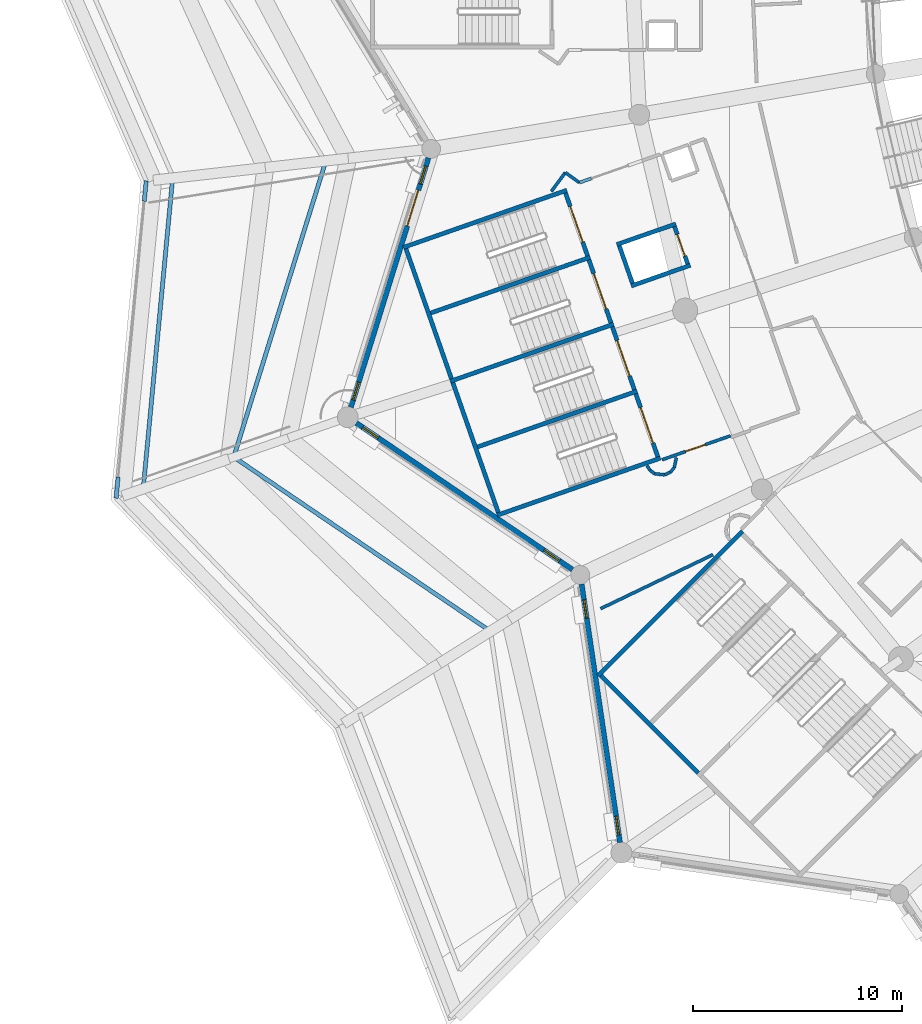
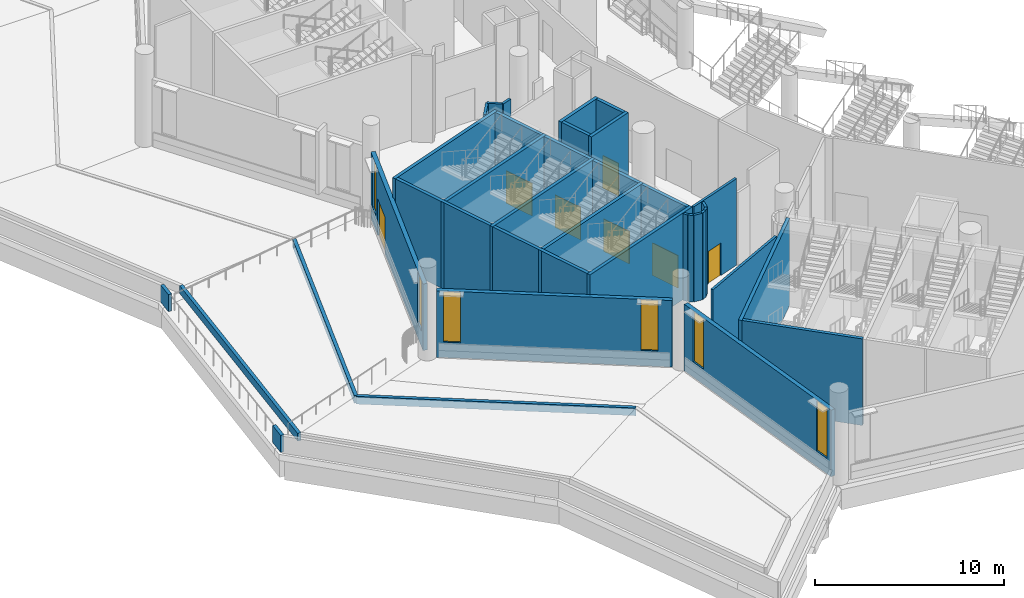
# One storey, part 42 of 173: 36 walls, 7 doors, 6 windows, 13 openings.
"""IFC4 building model written with IfcOpenShell, lengths in metres."""

from ifc_helpers import new_model, si_unit, direction, frame, frame_2d, origin, place, context, subcontext, project, spatial, rectangle, extrude, material, layer, layer_set, type_object, element, fill, save


model = new_model("IFC4")

# Units and contexts
model_context = context("Model", 3, precision=1e-05, world=origin(), true_north=direction((0.0, 1.0)))
body_context = subcontext(model_context, "Body", "Model", "MODEL_VIEW")
ifc_project = project(units=[si_unit("LENGTHUNIT", "METRE"), si_unit("AREAUNIT", "SQUARE_METRE"), si_unit("VOLUMEUNIT", "CUBIC_METRE"), si_unit("PLANEANGLEUNIT", "RADIAN"), si_unit("MASSUNIT", "GRAM", prefix="KILO")], contexts=[model_context])

# Site, building, storey
site_placement = place(None, origin())
site = spatial("IfcSite", under=ifc_project, at=site_placement, CompositionType="ELEMENT")
building_placement = place(site_placement, origin())
building = spatial("IfcBuilding", under=site, at=building_placement, Name="Meseta Stadium", CompositionType="ELEMENT")
storey_placement = place(building_placement, frame((0.0, 0.0, 18.0)))
storey = spatial("IfcBuildingStorey", under=building, at=storey_placement, Name="L03", CompositionType="ELEMENT", Elevation=18.0)

# Walls
ifc_material_1 = material(Name="Concrete C40/50", Category="concrete")
ifc_layer_1 = layer(ifc_material_1, 0.199951171875)
ifc_layer_set_1 = layer_set([ifc_layer_1], Name="Core divider wall 200")
wall_type_1 = type_object("IfcWallType", Name="Core divider wall 200", PredefinedType="SHEAR", material=ifc_layer_set_1)
for number, where, z_axis, x_axis, name in (
    (1, (-94.505859375, -63.370849609375, 0.0), (0.0, 0.0, 1.0), (0.943878073457, 0.330294084791, 0.0), "Core 20 L03 stair A divider wall"),
    (2, (-92.260009765625, -69.789306640625, 0.0), (0.0, 0.0, 1.0), (0.943878073457, 0.330294084791, 0.0), "Core 20 L03 stair B divider wall"),
):
    element("IfcWall", number, at=place(storey_placement, frame(where, z_axis=z_axis, x_axis=x_axis)), inside=storey, type_object=wall_type_1, Name=name, PredefinedType="SHEAR", context=body_context, shape_type="SweptSolid", body=[
        extrude(rectangle(XDim=8.300048828125, YDim=0.199951171875, at=frame_2d((4.14990234375, 0.0))), origin(), (0.0, 0.0, 1.0), 5.60009765625),
    ])
ifc_material_2 = material(Name="Concrete C40/50", Category="concrete")
ifc_layer_2 = layer(ifc_material_2, 0.199951171875)
ifc_layer_set_2 = layer_set([ifc_layer_2], Name="Core shaft wall 200")
wall_type_2 = type_object("IfcWallType", Name="Core shaft wall 200", PredefinedType="SHEAR", material=ifc_layer_set_2)
for number, where, z_axis, x_axis, name in (
    (3, (-95.62890625, -60.16162109375, 0.0), (0.0, 0.0, 1.0), (0.943887243331, 0.330267878966, 0.0), "Core 20 L03 stair wall A-side"),
    (4, (-93.3828125, -66.580078125, 0.0), (0.0, 0.0, 1.0), (0.943878073457, 0.330294084791, 0.0), "Core 20 L03 stair wall shared"),
    (5, (-91.136962890625, -72.998291015625, 0.0), (0.0, 0.0, 1.0), (0.943887243331, 0.330267878966, 0.0), "Core 20 L03 stair wall B-side"),
):
    element("IfcWall", number, at=place(storey_placement, frame(where, z_axis=z_axis, x_axis=x_axis)), inside=storey, type_object=wall_type_2, Name=name, PredefinedType="SHEAR", context=body_context, shape_type="SweptSolid", body=[
        extrude(rectangle(XDim=8.300048828125, YDim=0.199951171875, at=frame_2d((4.14990234375, 0.0))), origin(), (0.0, 0.0, 1.0), 5.60009765625),
    ])
for number, where, z_axis, x_axis, name in (
    (6, (-95.50146484375, -60.222900390625, 0.0), (0.0, 0.0, 1.0), (0.330286164688, -0.943880844925, 0.0), "Core 20 L03 stair A outer end wall"),
    (7, (-93.255615234375, -66.641357421875, 0.0), (0.0, 0.0, 1.0), (0.330286164688, -0.943880844925, 0.0), "Core 20 L03 stair B outer end wall"),
):
    element("IfcWall", number, at=place(storey_placement, frame(where, z_axis=z_axis, x_axis=x_axis)), inside=storey, type_object=wall_type_2, Name=name, PredefinedType="SHEAR", context=body_context, shape_type="SweptSolid", body=[
        extrude(rectangle(XDim=6.60009765625, YDim=0.199951171875, at=frame_2d((3.300048828125, 0.0))), origin(), (0.0, 0.0, 1.0), 5.60009765625),
    ])

# Wall, opening, door
wall_1_placement = place(storey_placement, frame((-87.85595703125, -57.547607421875, 0.0), z_axis=(0.0, 0.0, 1.0), x_axis=(0.330268863922, -0.943886898693, 0.0)))
wall_1 = element("IfcWall", 8, at=wall_1_placement, inside=storey, type_object=wall_type_2, Name="Core 20 L03 stair A1 inner end wall", PredefinedType="SHEAR", context=body_context, shape_type="SweptSolid", body=[
    extrude(rectangle(XDim=3.2001953125, YDim=0.199951171875, at=frame_2d((1.60009765625, 0.0))), origin(), (0.0, 0.0, 1.0), 5.60009765625),
])
opening_1_placement = place(wall_1_placement, frame((0.699951171875, 0.0, 0.0)))
opening_1 = element("IfcOpeningElement", 9, at=opening_1_placement, cuts=wall_1, Name="Opening D1298", PredefinedType="OPENING", context=body_context, shape_type="SweptSolid", body=[
    extrude(rectangle(XDim=1.800048828125, YDim=2.10009765625, at=frame_2d((0.89990234375, 1.050048828125))), frame((0.0, 0.10986328125, 0.0), z_axis=(0.0, -1.0, 0.0), x_axis=(1.0, 0.0, 0.0)), (0.0, 0.0, 1.0), 0.219970703125),
])
ifc_material_3 = material(Name="Steel", Category="steel")
door_type_1 = type_object("IfcDoorType", Name="Stair door 1800x2100", OperationType="DOUBLE_DOOR_SINGLE_SWING", PredefinedType="DOOR", material=ifc_material_3)
door_1_placement = place(opening_1_placement, origin())
door_1 = element("IfcDoor", 10, at=door_1_placement, inside=storey, type_object=door_type_1, Name="Stair A1 door 20 L03", OperationType="DOUBLE_DOOR_SINGLE_SWING", OverallHeight=2.10009765625, OverallWidth=1.800048828125, PredefinedType="DOOR", context=body_context, shape_type="SweptSolid", body=[
    extrude(rectangle(XDim=1.800048828125, YDim=2.10009765625, at=frame_2d((0.89990234375, 1.050048828125))), frame((0.0, 0.02490234375, 0.0), z_axis=(0.0, -1.0, 0.0), x_axis=(1.0, 0.0, 0.0)), (0.0, 0.0, 1.0), 0.050048828125),
])
fill(opening_1, door_1)

wall_2_placement = place(storey_placement, frame((-86.73291015625, -60.7568359375, 0.0), z_axis=(0.0, 0.0, 1.0), x_axis=(0.330268863922, -0.943886898693, 0.0)))
wall_2 = element("IfcWall", 11, at=wall_2_placement, inside=storey, type_object=wall_type_2, Name="Core 20 L03 stair A2 inner end wall", PredefinedType="SHEAR", context=body_context, shape_type="SweptSolid", body=[
    extrude(rectangle(XDim=3.2001953125, YDim=0.199951171875, at=frame_2d((1.60009765625, 0.0))), origin(), (0.0, 0.0, 1.0), 5.60009765625),
])
opening_2_placement = place(wall_2_placement, frame((0.699951171875, 0.0, 0.0)))
opening_2 = element("IfcOpeningElement", 12, at=opening_2_placement, cuts=wall_2, Name="Opening D1307", PredefinedType="OPENING", context=body_context, shape_type="SweptSolid", body=[
    extrude(rectangle(XDim=1.800048828125, YDim=2.10009765625, at=frame_2d((0.89990234375, 1.050048828125))), frame((0.0, 0.10986328125, 0.0), z_axis=(0.0, -1.0, 0.0), x_axis=(1.0, 0.0, 0.0)), (0.0, 0.0, 1.0), 0.219970703125),
])
door_2_placement = place(opening_2_placement, origin())
door_2 = element("IfcDoor", 13, at=door_2_placement, inside=storey, type_object=door_type_1, Name="Stair A2 door 20 L03", OperationType="DOUBLE_DOOR_SINGLE_SWING", OverallHeight=2.10009765625, OverallWidth=1.800048828125, PredefinedType="DOOR", context=body_context, shape_type="SweptSolid", body=[
    extrude(rectangle(XDim=1.800048828125, YDim=2.10009765625, at=frame_2d((0.89990234375, 1.050048828125))), frame((0.0, 0.02490234375, 0.0), z_axis=(0.0, -1.0, 0.0), x_axis=(1.0, 0.0, 0.0)), (0.0, 0.0, 1.0), 0.050048828125),
])
fill(opening_2, door_2)

wall_3_placement = place(storey_placement, frame((-85.610107421875, -63.966064453125, 0.0), z_axis=(0.0, 0.0, 1.0), x_axis=(0.330268863922, -0.943886898693, 0.0)))
wall_3 = element("IfcWall", 14, at=wall_3_placement, inside=storey, type_object=wall_type_2, Name="Core 20 L03 stair B1 inner end wall", PredefinedType="SHEAR", context=body_context, shape_type="SweptSolid", body=[
    extrude(rectangle(XDim=3.2001953125, YDim=0.199951171875, at=frame_2d((1.60009765625, 0.0))), origin(), (0.0, 0.0, 1.0), 5.60009765625),
])
opening_3_placement = place(wall_3_placement, frame((0.699951171875, 0.0, 0.0)))
opening_3 = element("IfcOpeningElement", 15, at=opening_3_placement, cuts=wall_3, Name="Opening D1311", PredefinedType="OPENING", context=body_context, shape_type="SweptSolid", body=[
    extrude(rectangle(XDim=1.800048828125, YDim=2.10009765625, at=frame_2d((0.89990234375, 1.050048828125))), frame((0.0, 0.10986328125, 0.0), z_axis=(0.0, -1.0, 0.0), x_axis=(1.0, 0.0, 0.0)), (0.0, 0.0, 1.0), 0.219970703125),
])
door_3_placement = place(opening_3_placement, origin())
door_3 = element("IfcDoor", 16, at=door_3_placement, inside=storey, type_object=door_type_1, Name="Stair B1 door 20 L03", OperationType="DOUBLE_DOOR_SINGLE_SWING", OverallHeight=2.10009765625, OverallWidth=1.800048828125, PredefinedType="DOOR", context=body_context, shape_type="SweptSolid", body=[
    extrude(rectangle(XDim=1.800048828125, YDim=2.10009765625, at=frame_2d((0.89990234375, 1.050048828125))), frame((0.0, 0.02490234375, 0.0), z_axis=(0.0, -1.0, 0.0), x_axis=(1.0, 0.0, 0.0)), (0.0, 0.0, 1.0), 0.050048828125),
])
fill(opening_3, door_3)

wall_4_placement = place(storey_placement, frame((-84.487060546875, -67.17529296875, 0.0), z_axis=(0.0, 0.0, 1.0), x_axis=(0.330268863922, -0.943886898693, 0.0)))
wall_4 = element("IfcWall", 17, at=wall_4_placement, inside=storey, type_object=wall_type_2, Name="Core 20 L03 stair B2 inner end wall", PredefinedType="SHEAR", context=body_context, shape_type="SweptSolid", body=[
    extrude(rectangle(XDim=3.2001953125, YDim=0.199951171875, at=frame_2d((1.60009765625, 0.0))), origin(), (0.0, 0.0, 1.0), 5.60009765625),
])
opening_4_placement = place(wall_4_placement, frame((0.699951171875, 0.0, 0.0)))
opening_4 = element("IfcOpeningElement", 18, at=opening_4_placement, cuts=wall_4, Name="Opening D1313", PredefinedType="OPENING", context=body_context, shape_type="SweptSolid", body=[
    extrude(rectangle(XDim=1.800048828125, YDim=2.10009765625, at=frame_2d((0.89990234375, 1.050048828125))), frame((0.0, 0.10986328125, 0.0), z_axis=(0.0, -1.0, 0.0), x_axis=(1.0, 0.0, 0.0)), (0.0, 0.0, 1.0), 0.219970703125),
])
door_4_placement = place(opening_4_placement, origin())
door_4 = element("IfcDoor", 19, at=door_4_placement, inside=storey, type_object=door_type_1, Name="Stair B2 door 20 L03", OperationType="DOUBLE_DOOR_SINGLE_SWING", OverallHeight=2.10009765625, OverallWidth=1.800048828125, PredefinedType="DOOR", context=body_context, shape_type="SweptSolid", body=[
    extrude(rectangle(XDim=1.800048828125, YDim=2.10009765625, at=frame_2d((0.89990234375, 1.050048828125))), frame((0.0, 0.02490234375, 0.0), z_axis=(0.0, -1.0, 0.0), x_axis=(1.0, 0.0, 0.0)), (0.0, 0.0, 1.0), 0.050048828125),
])
fill(opening_4, door_4)

# Walls
wall_5_placement = place(storey_placement, frame((-85.39990234375, -60.025390625, 0.0), z_axis=(0.0, 0.0, 1.0), x_axis=(0.943900215722, 0.330230802259, 0.0)))
element("IfcWall", 20, at=wall_5_placement, inside=storey, type_object=wall_type_2, Name="Core 20 L03 lift shaft wall left", PredefinedType="SHEAR", context=body_context, shape_type="SweptSolid", body=[
    extrude(rectangle(XDim=3.0, YDim=0.199951171875, at=frame_2d((1.5, 0.0))), origin(), (0.0, 0.0, 1.0), 5.60009765625),
])
wall_6_placement = place(storey_placement, frame((-84.706298828125, -62.0078125, 0.0), z_axis=(0.0, 0.0, 1.0), x_axis=(0.943874847782, 0.330303302625, 0.0)))
element("IfcWall", 21, at=wall_6_placement, inside=storey, type_object=wall_type_2, Name="Core 20 L03 lift shaft wall right", PredefinedType="SHEAR", context=body_context, shape_type="SweptSolid", body=[
    extrude(rectangle(XDim=3.000244140625, YDim=0.199951171875, at=frame_2d((1.5, 0.0))), origin(), (0.0, 0.0, 1.0), 5.60009765625),
])
wall_7_placement = place(storey_placement, frame((-85.272216796875, -60.0869140625, 0.0), z_axis=(0.0, 0.0, 1.0), x_axis=(0.330224505327, -0.943902418729, 0.0)))
element("IfcWall", 22, at=wall_7_placement, inside=storey, type_object=wall_type_2, Name="Core 20 L03 lift shaft back wall", PredefinedType="SHEAR", context=body_context, shape_type="SweptSolid", body=[
    extrude(rectangle(XDim=1.900146484375, YDim=0.199951171875, at=frame_2d((0.9501953125, 0.0))), origin(), (0.0, 0.0, 1.0), 5.60009765625),
])

# Wall, opening, door
wall_8_placement = place(storey_placement, frame((-82.62939453125, -59.162109375, 0.0), z_axis=(0.0, 0.0, 1.0), x_axis=(0.330224505327, -0.943902418729, 0.0)))
wall_8 = element("IfcWall", 23, at=wall_8_placement, inside=storey, type_object=wall_type_2, Name="Core 20 L03 lift shaft front wall", PredefinedType="SHEAR", context=body_context, shape_type="SweptSolid", body=[
    extrude(rectangle(XDim=1.900146484375, YDim=0.199951171875, at=frame_2d((0.9501953125, 0.0))), origin(), (0.0, 0.0, 1.0), 5.60009765625),
])
opening_5_placement = place(wall_8_placement, frame((0.39990234375, 0.0, 0.0)))
opening_5 = element("IfcOpeningElement", 24, at=opening_5_placement, cuts=wall_8, Name="Opening LD113", PredefinedType="OPENING", context=body_context, shape_type="SweptSolid", body=[
    extrude(rectangle(XDim=1.10009765625, YDim=2.10009765625, at=frame_2d((0.550048828125, 1.050048828125))), frame((0.0, 0.10986328125, 0.0), z_axis=(0.0, -1.0, 0.0), x_axis=(1.0, 0.0, 0.0)), (0.0, 0.0, 1.0), 0.219970703125),
])
ifc_material_4 = material(Name="Steel", Category="steel")
door_type_2 = type_object("IfcDoorType", Name="Lift landing door 1100x2100", OperationType="SLIDING_TO_LEFT", PredefinedType="DOOR", material=ifc_material_4)
door_5_placement = place(opening_5_placement, origin())
door_5 = element("IfcDoor", 25, at=door_5_placement, inside=storey, type_object=door_type_2, Name="Lift landing door LD113", OperationType="SLIDING_TO_LEFT", OverallHeight=2.10009765625, OverallWidth=1.10009765625, PredefinedType="DOOR", context=body_context, shape_type="SweptSolid", body=[
    extrude(rectangle(XDim=1.10009765625, YDim=2.10009765625, at=frame_2d((0.550048828125, 1.050048828125))), frame((0.0, 0.02490234375, 0.0), z_axis=(0.0, -1.0, 0.0), x_axis=(1.0, 0.0, 0.0)), (0.0, 0.0, 1.0), 0.050048828125),
])
fill(opening_5, door_5)

# Walls
wall_9_placement = place(storey_placement, frame((-86.30517578125, -80.6884765625, 0.0), z_axis=(0.0, 0.0, 1.0), x_axis=(0.707106781187, 0.707106781187, 0.0)))
element("IfcWall", 26, at=wall_9_placement, inside=storey, type_object=wall_type_2, Name="Core 21 L03 stair wall A-side", PredefinedType="SHEAR", context=body_context, shape_type="SweptSolid", body=[
    extrude(rectangle(XDim=9.800048828125, YDim=0.199951171875, at=frame_2d((4.89990234375, 0.0))), origin(), (0.0, 0.0, 1.0), 5.60009765625),
])
wall_10_placement = place(storey_placement, frame((-86.163818359375, -80.6884765625, 0.0), z_axis=(0.0, 0.0, 1.0), x_axis=(0.707125276584, -0.707088285305, 0.0)))
element("IfcWall", 27, at=wall_10_placement, inside=storey, type_object=wall_type_2, Name="Core 21 L03 stair A outer end wall", PredefinedType="SHEAR", context=body_context, shape_type="SweptSolid", body=[
    extrude(rectangle(XDim=6.599853515625, YDim=0.199951171875, at=frame_2d((3.2998046875, 0.0))), origin(), (0.0, 0.0, 1.0), 5.60009765625),
])
ifc_material_5 = material(Name="Masonry blockwork", Category="masonry")
ifc_layer_3 = layer(ifc_material_5, 0.14990234375)
ifc_layer_set_3 = layer_set([ifc_layer_3], Name="Partition 150")
wall_type_3 = type_object("IfcWallType", Name="Partition 150", PredefinedType="PARTITIONING", material=ifc_layer_set_3)
wall_11_placement = place(storey_placement, frame((-80.782470703125, -74.8828125, 0.0), z_axis=(0.0, 0.0, 1.0), x_axis=(-0.901191146896, -0.433421869264, 0.0)))
element("IfcWall", 28, at=wall_11_placement, inside=storey, type_object=wall_type_3, Name="Partition L03 L03-cell19-1-0w", PredefinedType="PARTITIONING", context=body_context, shape_type="SweptSolid", body=[
    extrude(rectangle(XDim=5.98486328125, YDim=0.14990234375, at=frame_2d((2.992431640625, 0.0))), origin(), (0.0, 0.0, 1.0), 5.60009765625),
])

# Wall, opening, door
wall_12_placement = place(storey_placement, frame((-83.23193359375, -70.33837890625, 0.0), z_axis=(0.0, 0.0, 1.0), x_axis=(0.943878042103, 0.330294174389, 0.0)))
wall_12 = element("IfcWall", 29, at=wall_12_placement, inside=storey, type_object=wall_type_3, Name="Partition L03 L03-cell19-1-0w", PredefinedType="PARTITIONING", context=body_context, shape_type="SweptSolid", body=[
    extrude(rectangle(XDim=3.47998046875, YDim=0.14990234375, at=frame_2d((1.739990234375, 0.0))), origin(), (0.0, 0.0, 1.0), 5.60009765625),
])
opening_6_placement = place(wall_12_placement, frame((1.199951171875, 0.0, 0.0)))
opening_6 = element("IfcOpeningElement", 30, at=opening_6_placement, cuts=wall_12, Name="Opening D1316", PredefinedType="OPENING", context=body_context, shape_type="SweptSolid", body=[
    extrude(rectangle(XDim=1.0, YDim=2.10009765625, at=frame_2d((0.5, 1.050048828125))), frame((0.0, 0.0849609375, 0.0), z_axis=(0.0, -1.0, 0.0), x_axis=(1.0, 0.0, 0.0)), (0.0, 0.0, 1.0), 0.169921875),
])
ifc_material_6 = material(Name="Timber", Category="wood")
door_type_3 = type_object("IfcDoorType", Name="Room door 1000x2100", OperationType="NOTDEFINED", PredefinedType="DOOR", material=ifc_material_6)
door_6_placement = place(opening_6_placement, frame((1.0, 0.0, 0.0), z_axis=(0.0, 0.0, 1.0), x_axis=(-1.0, 0.0, 0.0)))
door_6 = element("IfcDoor", 31, at=door_6_placement, inside=storey, type_object=door_type_3, Name="Room door L03 L03-cell19-1-0w", OperationType="SINGLE_SWING_RIGHT", OverallHeight=2.10009765625, OverallWidth=1.0, PredefinedType="DOOR", context=body_context, shape_type="SweptSolid", body=[
    extrude(rectangle(XDim=1.0, YDim=2.10009765625, at=frame_2d((0.5, 1.050048828125))), frame((0.0, 0.02490234375, 0.0), z_axis=(0.0, -1.0, 0.0), x_axis=(1.0, 0.0, 0.0)), (0.0, 0.0, 1.0), 0.050048828125),
])
fill(opening_6, door_6)

# Walls
wall_13_placement = place(storey_placement, frame((-83.94921875, -70.619140625, 0.0), z_axis=(0.0, 0.0, 1.0), x_axis=(0.538650685525, -0.84252919177, 0.0)))
element("IfcWall", 32, at=wall_13_placement, inside=storey, type_object=wall_type_3, Name="Stair vestibule wall L03 core 20", PredefinedType="PARTITIONING", context=body_context, shape_type="SweptSolid", body=[
    extrude(rectangle(XDim=0.2578125, YDim=0.14990234375, at=frame_2d((0.12890625, 0.0))), origin(), (0.0, 0.0, 1.0), 5.60009765625),
])
wall_14_placement = place(storey_placement, frame((-83.810302734375, -70.83642578125, 0.0), z_axis=(0.0, 0.0, 1.0), x_axis=(0.798981038717, -0.601356217039, 0.0)))
element("IfcWall", 33, at=wall_14_placement, inside=storey, type_object=wall_type_3, Name="Stair vestibule wall L03 core 20", PredefinedType="PARTITIONING", context=body_context, shape_type="SweptSolid", body=[
    extrude(rectangle(XDim=0.287841796875, YDim=0.14990234375, at=frame_2d((0.14404296875, 0.0))), origin(), (0.0, 0.0, 1.0), 5.60009765625),
])
wall_15_placement = place(storey_placement, frame((-83.580322265625, -71.009521484375, 0.0), z_axis=(0.0, 0.0, 1.0), x_axis=(0.99448310887, -0.104896835856, 0.0)))
element("IfcWall", 34, at=wall_15_placement, inside=storey, type_object=wall_type_3, Name="Stair vestibule wall L03 core 20", PredefinedType="PARTITIONING", context=body_context, shape_type="SweptSolid", body=[
    extrude(rectangle(XDim=0.4794921875, YDim=0.14990234375, at=frame_2d((0.23974609375, 0.0))), origin(), (0.0, 0.0, 1.0), 5.60009765625),
])
wall_16_placement = place(storey_placement, frame((-83.103515625, -71.059814453125, 0.0), z_axis=(0.0, 0.0, 1.0), x_axis=(0.906893747054, 0.42135938527, 0.0)))
element("IfcWall", 35, at=wall_16_placement, inside=storey, type_object=wall_type_3, Name="Stair vestibule wall L03 core 20", PredefinedType="PARTITIONING", context=body_context, shape_type="SweptSolid", body=[
    extrude(rectangle(XDim=0.2890625, YDim=0.14990234375, at=frame_2d((0.14453125, 0.0))), origin(), (0.0, 0.0, 1.0), 5.60009765625),
])
wall_17_placement = place(storey_placement, frame((-82.84130859375, -70.93798828125, 0.0), z_axis=(0.0, 0.0, 1.0), x_axis=(0.677403687514, 0.735611476353, 0.0)))
element("IfcWall", 36, at=wall_17_placement, inside=storey, type_object=wall_type_3, Name="Stair vestibule wall L03 core 20", PredefinedType="PARTITIONING", context=body_context, shape_type="SweptSolid", body=[
    extrude(rectangle(XDim=0.289306640625, YDim=0.14990234375, at=frame_2d((0.14453125, 0.0))), origin(), (0.0, 0.0, 1.0), 5.60009765625),
])
wall_18_placement = place(storey_placement, frame((-82.645263671875, -70.72509765625, 0.0), z_axis=(0.0, 0.0, 1.0), x_axis=(0.200428150313, 0.979708403844, 0.0)))
element("IfcWall", 37, at=wall_18_placement, inside=storey, type_object=wall_type_3, Name="Stair vestibule wall L03 core 20", PredefinedType="PARTITIONING", context=body_context, shape_type="SweptSolid", body=[
    extrude(rectangle(XDim=0.500732421875, YDim=0.14990234375, at=frame_2d((0.25048828125, 0.0))), origin(), (0.0, 0.0, 1.0), 5.60009765625),
])
wall_19_placement = place(storey_placement, frame((-86.625, -56.857421875, 4.5), z_axis=(0.0, 0.0, 1.0), x_axis=(-0.943807519121, -0.330495638172, 0.0)))
element("IfcWall", 38, at=wall_19_placement, inside=storey, type_object=wall_type_3, Name="Stair vestibule wall L03 core 20", PredefinedType="PARTITIONING", context=body_context, shape_type="SweptSolid", body=[
    extrude(rectangle(XDim=0.59912109375, YDim=0.14990234375, at=frame_2d((0.299560546875, 0.0))), origin(), (0.0, 0.0, 1.0), 1.10009765625),
])
wall_20_placement = place(storey_placement, frame((-87.1904296875, -57.055419921875, 0.0), z_axis=(0.0, 0.0, 1.0), x_axis=(-0.813315890962, 0.581822362504, 0.0)))
element("IfcWall", 39, at=wall_20_placement, inside=storey, type_object=wall_type_3, Name="Stair vestibule wall L03 core 20", PredefinedType="PARTITIONING", context=body_context, shape_type="SweptSolid", body=[
    extrude(rectangle(XDim=0.830078125, YDim=0.14990234375, at=frame_2d((0.4150390625, 0.0))), origin(), (0.0, 0.0, 1.0), 5.60009765625),
])
wall_21_placement = place(storey_placement, frame((-87.865478515625, -56.572509765625, 0.0), z_axis=(0.0, 0.0, 1.0), x_axis=(-0.595036002288, -0.803699045651, 0.0)))
element("IfcWall", 40, at=wall_21_placement, inside=storey, type_object=wall_type_3, Name="Stair vestibule wall L03 core 20", PredefinedType="PARTITIONING", context=body_context, shape_type="SweptSolid", body=[
    extrude(rectangle(XDim=1.1279296875, YDim=0.14990234375, at=frame_2d((0.56396484375, 0.0))), origin(), (0.0, 0.0, 1.0), 5.60009765625),
])
ifc_material_7 = material(Name="Precast concrete C40/50", Category="concrete")
ifc_layer_4 = layer(ifc_material_7, 0.199951171875)
ifc_layer_set_4 = layer_set([ifc_layer_4], Name="Planter kerb 200")
wall_type_4 = type_object("IfcWallType", Name="Planter kerb 200", PredefinedType="USERDEFINED", material=ifc_layer_set_4)
wall_22_placement = place(storey_placement, frame((-108.0947265625, -71.727783203125, 0.0), z_axis=(0.0, 0.0, 1.0), x_axis=(0.0943545393, 0.995538658674, 0.0)))
element("IfcWall", 41, at=wall_22_placement, inside=storey, type_object=wall_type_4, Name="Planter kerb 5.1.1", ObjectType="PLANTER", PredefinedType="USERDEFINED", context=body_context, shape_type="SweptSolid", body=[
    extrude(rectangle(XDim=15.03076171875, YDim=0.199951171875, at=frame_2d((7.515380859375, 0.0))), origin(), (0.0, 0.0, 1.0), 0.5),
])
wall_23_placement = place(storey_placement, frame((-99.357421875, -56.06396484375, 0.0), z_axis=(0.0, 0.0, 1.0), x_axis=(-0.296859510223, -0.954921164908, 0.0)))
element("IfcWall", 42, at=wall_23_placement, inside=storey, type_object=wall_type_4, Name="Planter kerb 5.1.9", ObjectType="PLANTER", PredefinedType="USERDEFINED", context=body_context, shape_type="SweptSolid", body=[
    extrude(rectangle(XDim=14.813232421875, YDim=0.199951171875, at=frame_2d((7.40673828125, 0.0))), origin(), (0.0, 0.0, 1.0), 0.5),
])
wall_24_placement = place(storey_placement, frame((-103.7548828125, -70.20947265625, 0.0), z_axis=(0.0, 0.0, 1.0), x_axis=(0.827480678526, -0.561494191124, 0.0)))
element("IfcWall", 43, at=wall_24_placement, inside=storey, type_object=wall_type_4, Name="Planter kerb 5.1.10", ObjectType="PLANTER", PredefinedType="USERDEFINED", context=body_context, shape_type="SweptSolid", body=[
    extrude(rectangle(XDim=14.869384765625, YDim=0.199951171875, at=frame_2d((7.4345703125, 0.0))), origin(), (0.0, 0.0, 1.0), 0.5),
])

# Wall, openings, door, windows
ifc_material_8 = material(Name="White precast concrete C40/50", Category="concrete")
ifc_layer_5 = layer(ifc_material_8, 0.25)
ifc_layer_set_5 = layer_set([ifc_layer_5], Name="Pleated panel wall 250")
wall_type_5 = type_object("IfcWallType", Name="Pleated panel wall 250", PredefinedType="SOLIDWALL", material=ifc_layer_set_5)
wall_25_placement = place(storey_placement, frame((-98.142822265625, -67.820068359375, 0.0), z_axis=(0.0, 0.0, 1.0), x_axis=(0.29687600697, 0.954916036354, 0.0)))
wall_25 = element("IfcWall", 44, at=wall_25_placement, inside=storey, type_object=wall_type_5, Name="Pleated facade panel L03 F37", PredefinedType="SOLIDWALL", context=body_context, shape_type="SweptSolid", body=[
    extrude(rectangle(XDim=12.51318359375, YDim=0.25, at=frame_2d((6.256591796875, 0.0))), origin(), (0.0, 0.0, 1.0), 4.300048828125),
])
opening_7_placement = place(wall_25_placement, frame((11.199951171875, 0.0, 1.0)))
opening_7 = element("IfcOpeningElement", 45, at=opening_7_placement, cuts=wall_25, Name="Opening W071", PredefinedType="OPENING", context=body_context, shape_type="SweptSolid", body=[
    extrude(rectangle(XDim=0.89990234375, YDim=3.25, at=frame_2d((0.449951171875, 1.625))), frame((0.0, 0.135009765625, 0.0), z_axis=(0.0, -1.0, 0.0), x_axis=(1.0, 0.0, 0.0)), (0.0, 0.0, 1.0), 0.27001953125),
])
opening_8_placement = place(wall_25_placement, frame((0.363037109375, 0.0, 1.0)))
opening_8 = element("IfcOpeningElement", 46, at=opening_8_placement, cuts=wall_25, Name="Opening W053", PredefinedType="OPENING", context=body_context, shape_type="SweptSolid", body=[
    extrude(rectangle(XDim=0.89990234375, YDim=3.25, at=frame_2d((0.449951171875, 1.625))), frame((0.0, 0.135009765625, 0.0), z_axis=(0.0, -1.0, 0.0), x_axis=(1.0, 0.0, 0.0)), (0.0, 0.0, 1.0), 0.27001953125),
])
opening_9_placement = place(wall_25_placement, frame((9.10009765625, 0.0, 0.0)))
opening_9 = element("IfcOpeningElement", 47, at=opening_9_placement, cuts=wall_25, Name="Opening D1273", PredefinedType="OPENING", context=body_context, shape_type="SweptSolid", body=[
    extrude(rectangle(XDim=1.800048828125, YDim=2.39990234375, at=frame_2d((0.89990234375, 1.199951171875))), frame((0.0, 0.135009765625, 0.0), z_axis=(0.0, -1.0, 0.0), x_axis=(1.0, 0.0, 0.0)), (0.0, 0.0, 1.0), 0.27001953125),
])
ifc_material_9 = material(Name="Steel", Category="steel")
door_type_4 = type_object("IfcDoorType", Name="Roof garden double door 1800x2400", OperationType="DOUBLE_DOOR_SINGLE_SWING", PredefinedType="DOOR", material=ifc_material_9)
door_7_placement = place(opening_9_placement, origin())
door_7 = element("IfcDoor", 48, at=door_7_placement, inside=storey, type_object=door_type_4, Name="Roof garden door", OperationType="DOUBLE_DOOR_SINGLE_SWING", OverallHeight=2.39990234375, OverallWidth=1.800048828125, PredefinedType="DOOR", context=body_context, shape_type="SweptSolid", body=[
    extrude(rectangle(XDim=1.800048828125, YDim=2.39990234375, at=frame_2d((0.89990234375, 1.199951171875))), frame((0.0, 0.02490234375, 0.0), z_axis=(0.0, -1.0, 0.0), x_axis=(1.0, 0.0, 0.0)), (0.0, 0.0, 1.0), 0.050048828125),
])
fill(opening_9, door_7)
ifc_material_10 = material(Name="Aluminium", Category="aluminium")
window_type = type_object("IfcWindowType", Name="Slot window 900x3250", PartitioningType="SINGLE_PANEL", PredefinedType="WINDOW", material=ifc_material_10)
window_1_placement = place(opening_7_placement, origin())
window_1 = element("IfcWindow", 49, at=window_1_placement, inside=storey, type_object=window_type, Name="Slot window L03 F37.1", OverallHeight=3.25, OverallWidth=0.89990234375, PartitioningType="SINGLE_PANEL", PredefinedType="WINDOW", context=body_context, shape_type="SweptSolid", body=[
    extrude(rectangle(XDim=0.89990234375, YDim=3.25, at=frame_2d((0.449951171875, 1.625))), frame((0.0, 0.030029296875, 0.0), z_axis=(0.0, -1.0, 0.0), x_axis=(1.0, 0.0, 0.0)), (0.0, 0.0, 1.0), 0.06005859375),
])
fill(opening_7, window_1)
window_2_placement = place(opening_8_placement, origin())
window_2 = element("IfcWindow", 50, at=window_2_placement, inside=storey, type_object=window_type, Name="Slot window L03 F37.6", OverallHeight=3.25, OverallWidth=0.89990234375, PartitioningType="SINGLE_PANEL", PredefinedType="WINDOW", context=body_context, shape_type="SweptSolid", body=[
    extrude(rectangle(XDim=0.89990234375, YDim=3.25, at=frame_2d((0.449951171875, 1.625))), frame((0.0, 0.030029296875, 0.0), z_axis=(0.0, -1.0, 0.0), x_axis=(1.0, 0.0, 0.0)), (0.0, 0.0, 1.0), 0.06005859375),
])
fill(opening_8, window_2)

# Wall, openings, windows
wall_26_placement = place(storey_placement, frame((-87.52294921875, -75.604248046875, 0.0), z_axis=(0.0, 0.0, 1.0), x_axis=(-0.827480954447, 0.561493784496, 0.0)))
wall_26 = element("IfcWall", 51, at=wall_26_placement, inside=storey, type_object=wall_type_5, Name="Pleated facade panel L03 F38", PredefinedType="SOLIDWALL", context=body_context, shape_type="SweptSolid", body=[
    extrude(rectangle(XDim=12.51318359375, YDim=0.25, at=frame_2d((6.256591796875, 0.0))), origin(), (0.0, 0.0, 1.0), 4.300048828125),
])
opening_10_placement = place(wall_26_placement, frame((0.750244140625, 0.0, 1.0)))
opening_10 = element("IfcOpeningElement", 52, at=opening_10_placement, cuts=wall_26, Name="Opening W075", PredefinedType="OPENING", context=body_context, shape_type="SweptSolid", body=[
    extrude(rectangle(XDim=0.89990234375, YDim=3.25, at=frame_2d((0.449951171875, 1.625))), frame((0.0, 0.135009765625, 0.0), z_axis=(0.0, -1.0, 0.0), x_axis=(1.0, 0.0, 0.0)), (0.0, 0.0, 1.0), 0.27001953125),
])
opening_11_placement = place(wall_26_placement, frame((11.250244140625, 0.0, 1.0)))
opening_11 = element("IfcOpeningElement", 53, at=opening_11_placement, cuts=wall_26, Name="Opening W054", PredefinedType="OPENING", context=body_context, shape_type="SweptSolid", body=[
    extrude(rectangle(XDim=0.89990234375, YDim=3.25, at=frame_2d((0.449951171875, 1.625))), frame((0.0, 0.135009765625, 0.0), z_axis=(0.0, -1.0, 0.0), x_axis=(1.0, 0.0, 0.0)), (0.0, 0.0, 1.0), 0.27001953125),
])
window_3_placement = place(opening_10_placement, origin())
window_3 = element("IfcWindow", 54, at=window_3_placement, inside=storey, type_object=window_type, Name="Slot window L03 F38.1", OverallHeight=3.25, OverallWidth=0.89990234375, PartitioningType="SINGLE_PANEL", PredefinedType="WINDOW", context=body_context, shape_type="SweptSolid", body=[
    extrude(rectangle(XDim=0.89990234375, YDim=3.25, at=frame_2d((0.449951171875, 1.625))), frame((0.0, 0.030029296875, 0.0), z_axis=(0.0, -1.0, 0.0), x_axis=(1.0, 0.0, 0.0)), (0.0, 0.0, 1.0), 0.06005859375),
])
fill(opening_10, window_3)
window_4_placement = place(opening_11_placement, origin())
window_4 = element("IfcWindow", 55, at=window_4_placement, inside=storey, type_object=window_type, Name="Slot window L03 F38.6", OverallHeight=3.25, OverallWidth=0.89990234375, PartitioningType="SINGLE_PANEL", PredefinedType="WINDOW", context=body_context, shape_type="SweptSolid", body=[
    extrude(rectangle(XDim=0.89990234375, YDim=3.25, at=frame_2d((0.449951171875, 1.625))), frame((0.0, 0.030029296875, 0.0), z_axis=(0.0, -1.0, 0.0), x_axis=(1.0, 0.0, 0.0)), (0.0, 0.0, 1.0), 0.06005859375),
])
fill(opening_11, window_4)

wall_27_placement = place(storey_placement, frame((-85.2470703125, -88.6796875, 0.0), z_axis=(0.0, 0.0, 1.0), x_axis=(-0.14684632149, 0.989159318747, 0.0)))
wall_27 = element("IfcWall", 56, at=wall_27_placement, inside=storey, type_object=wall_type_5, Name="Pleated facade panel L03 F39", PredefinedType="SOLIDWALL", context=body_context, shape_type="SweptSolid", body=[
    extrude(rectangle(XDim=12.51416015625, YDim=0.25, at=frame_2d((6.257080078125, 0.0))), origin(), (0.0, 0.0, 1.0), 4.300048828125),
])
opening_12_placement = place(wall_27_placement, frame((10.863525390625, 0.0, 1.0)))
opening_12 = element("IfcOpeningElement", 57, at=opening_12_placement, cuts=wall_27, Name="Opening W076", PredefinedType="OPENING", context=body_context, shape_type="SweptSolid", body=[
    extrude(rectangle(XDim=0.89990234375, YDim=3.25, at=frame_2d((0.449951171875, 1.625))), frame((0.0, 0.135009765625, 0.0), z_axis=(0.0, -1.0, 0.0), x_axis=(1.0, 0.0, 0.0)), (0.0, 0.0, 1.0), 0.27001953125),
])
opening_13_placement = place(wall_27_placement, frame((0.363525390625, 0.0, 1.0)))
opening_13 = element("IfcOpeningElement", 58, at=opening_13_placement, cuts=wall_27, Name="Opening W077", PredefinedType="OPENING", context=body_context, shape_type="SweptSolid", body=[
    extrude(rectangle(XDim=0.89990234375, YDim=3.25, at=frame_2d((0.449951171875, 1.625))), frame((0.0, 0.135009765625, 0.0), z_axis=(0.0, -1.0, 0.0), x_axis=(1.0, 0.0, 0.0)), (0.0, 0.0, 1.0), 0.27001953125),
])
window_5_placement = place(opening_12_placement, origin())
window_5 = element("IfcWindow", 59, at=window_5_placement, inside=storey, type_object=window_type, Name="Slot window L03 F39.1", OverallHeight=3.25, OverallWidth=0.89990234375, PartitioningType="SINGLE_PANEL", PredefinedType="WINDOW", context=body_context, shape_type="SweptSolid", body=[
    extrude(rectangle(XDim=0.89990234375, YDim=3.25, at=frame_2d((0.449951171875, 1.625))), frame((0.0, 0.030029296875, 0.0), z_axis=(0.0, -1.0, 0.0), x_axis=(1.0, 0.0, 0.0)), (0.0, 0.0, 1.0), 0.06005859375),
])
fill(opening_12, window_5)
window_6_placement = place(opening_13_placement, origin())
window_6 = element("IfcWindow", 60, at=window_6_placement, inside=storey, type_object=window_type, Name="Slot window L03 F39.6", OverallHeight=3.25, OverallWidth=0.89990234375, PartitioningType="SINGLE_PANEL", PredefinedType="WINDOW", context=body_context, shape_type="SweptSolid", body=[
    extrude(rectangle(XDim=0.89990234375, YDim=3.25, at=frame_2d((0.449951171875, 1.625))), frame((0.0, 0.030029296875, 0.0), z_axis=(0.0, -1.0, 0.0), x_axis=(1.0, 0.0, 0.0)), (0.0, 0.0, 1.0), 0.06005859375),
])
fill(opening_13, window_6)

# Walls
ifc_material_11 = material(Name="Concrete C40/50", Category="concrete")
ifc_layer_6 = layer(ifc_material_11, 0.199951171875)
ifc_layer_set_6 = layer_set([ifc_layer_6], Name="Roof parapet 200")
wall_type_6 = type_object("IfcWallType", Name="Roof parapet 200", PredefinedType="PARAPET", material=ifc_layer_set_6)
wall_28_placement = place(storey_placement, frame((-109.3935546875, -72.182373046875, 0.0), z_axis=(0.0, 0.0, 1.0), x_axis=(0.094495366079, 0.995525301431, 0.0)))
element("IfcWall", 61, at=wall_28_placement, inside=storey, type_object=wall_type_6, Name="Roof parapet 5.29.1", PredefinedType="PARAPET", context=body_context, shape_type="SweptSolid", body=[
    extrude(rectangle(XDim=1.0283203125, YDim=0.199951171875, at=frame_2d((0.51416015625, 0.0))), origin(), (0.0, 0.0, 1.0), 1.10009765625),
])
wall_29_placement = place(storey_placement, frame((-108.044189453125, -57.948486328125, 0.0), z_axis=(0.0, 0.0, 1.0), x_axis=(0.094224007021, 0.995551021546, 0.0)))
element("IfcWall", 62, at=wall_29_placement, inside=storey, type_object=wall_type_6, Name="Roof parapet 5.29.2", PredefinedType="PARAPET", context=body_context, shape_type="SweptSolid", body=[
    extrude(rectangle(XDim=0.984619140625, YDim=0.199951171875, at=frame_2d((0.4921875, 0.0))), origin(), (0.0, 0.0, 1.0), 1.10009765625),
])

save(model, "model.ifc")
